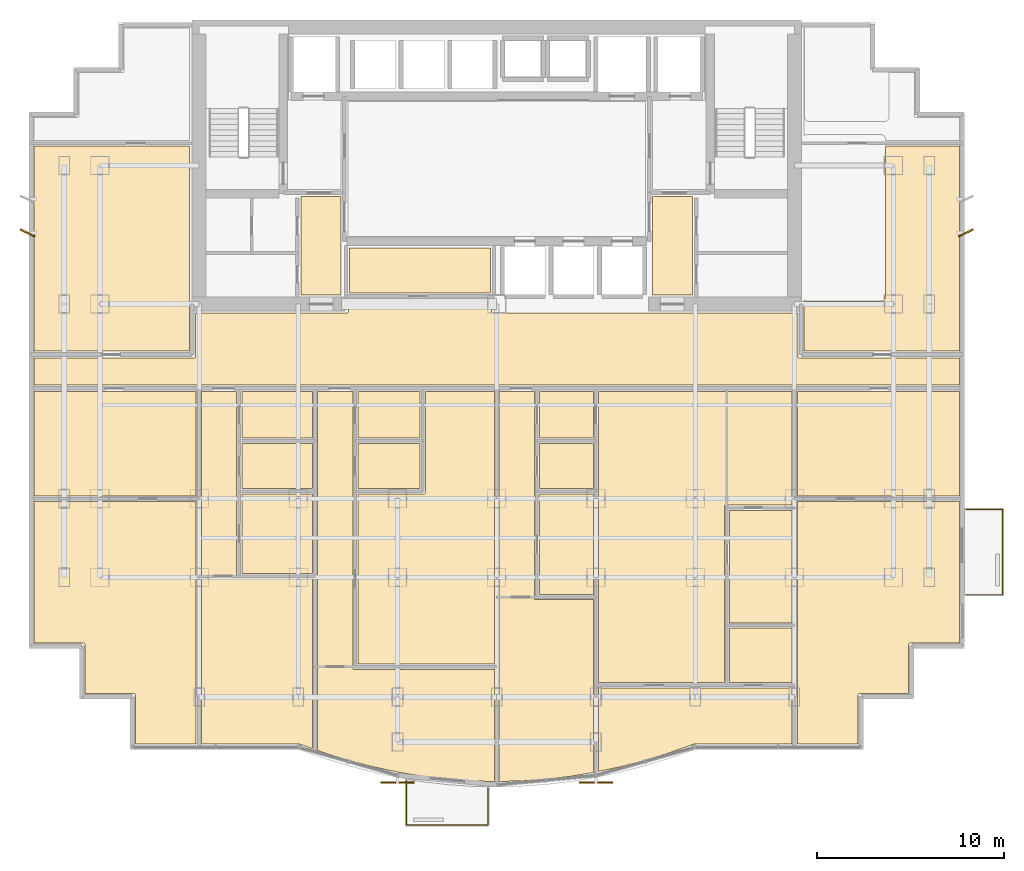
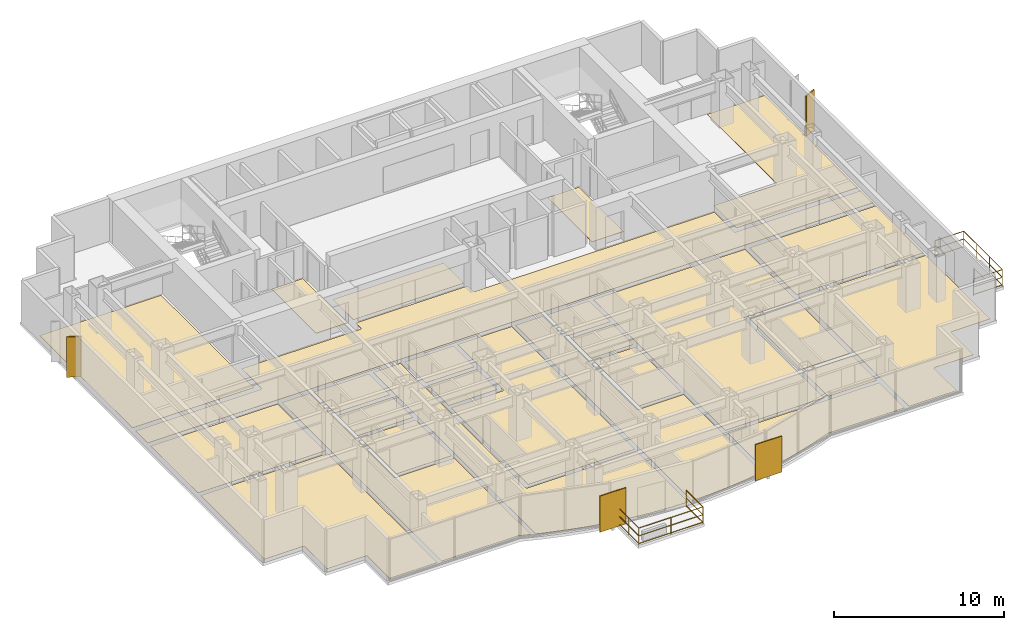
# One storey, part 9 of 10: 26 coverings, 4 shading devices, 2 railings.
"""IFC4 building model written with IfcOpenShell, lengths in metres."""

from ifc_helpers import new_model, si_unit, direction, frame, origin, origin_2d, place, context, subcontext, project, spatial, polyline, rectangle, circle, outline, extrude, source, transform, mapped, material, layer, layer_set, type_object, element, save


model = new_model("IFC4")

# Units and contexts
model_context = context("Model", 3, precision=1e-05, world=origin(), true_north=direction((0.0, 1.0)))
body_context = subcontext(model_context, "Body", "Model", "MODEL_VIEW")
ifc_project = project(units=[si_unit("LENGTHUNIT", "METRE"), si_unit("AREAUNIT", "SQUARE_METRE"), si_unit("VOLUMEUNIT", "CUBIC_METRE"), si_unit("PLANEANGLEUNIT", "RADIAN"), si_unit("MASSUNIT", "GRAM", prefix="KILO")], contexts=[model_context])

# Site, building, storey
site_placement = place(None, origin())
site = spatial("IfcSite", under=ifc_project, at=site_placement, CompositionType="ELEMENT")
building_placement = place(site_placement, origin())
building = spatial("IfcBuilding", under=site, at=building_placement, Name="Qianlan Lanfeng Residences", CompositionType="ELEMENT")
storey_placement = place(building_placement, frame((0.0, 0.0, 91.60009765625)))
storey = spatial("IfcBuildingStorey", under=building, at=storey_placement, Name="L24", CompositionType="ELEMENT", Elevation=91.60009765625)

# Coverings
ifc_material_1 = material(Name="Honed Taitung Granite Stone Flooring", Category="masonry")
ifc_layer_1 = layer(ifc_material_1, 0.030029296875)
ifc_layer_set_1 = layer_set([ifc_layer_1], Name="Honed Taitung Granite Stone Flooring")
covering_type_1 = type_object("IfcCoveringType", Name="FLR-STN-30", PredefinedType="FLOORING", material=ifc_layer_set_1)
covering_1_placement = place(storey_placement, origin())
element("IfcCovering", 1, at=covering_1_placement, inside=storey, type_object=covering_type_1, Name="L24 Residential Corridor Floor Finish", PredefinedType="FLOORING", context=body_context, shape_type="SweptSolid", body=[
    extrude(outline(polyline([(1.7900390625, 20.8798828125), (51.2099609375, 20.8798828125), (51.2099609375, 22.320068359375), (42.6650390625, 22.320068359375), (42.657958984375, 22.320068359375), (42.65087890625, 22.321044921875), (42.64501953125, 22.322998046875), (42.637939453125, 22.324951171875), (42.632080078125, 22.327880859375), (42.6259765625, 22.33203125), (42.62109375, 22.3359375), (42.615966796875, 22.341064453125), (42.611083984375, 22.345947265625), (42.60693359375, 22.35107421875), (42.60302734375, 22.35693359375), (42.60009765625, 22.363037109375), (42.597900390625, 22.3701171875), (42.595947265625, 22.3759765625), (42.594970703125, 22.383056640625), (42.594970703125, 22.389892578125), (42.594970703125, 24.72509765625), (26.300048828125, 24.72509765625), (26.29296875, 24.72509765625), (26.285888671875, 24.72607421875), (26.280029296875, 24.72802734375), (26.27294921875, 24.72998046875), (26.26708984375, 24.73291015625), (26.260986328125, 24.737060546875), (26.256103515625, 24.740966796875), (26.2509765625, 24.74609375), (26.24609375, 24.7509765625), (26.241943359375, 24.756103515625), (26.238037109375, 24.761962890625), (26.235107421875, 24.76806640625), (26.23291015625, 24.77490234375), (26.23095703125, 24.781005859375), (26.22998046875, 24.7880859375), (26.22998046875, 24.794921875), (26.22998046875, 25.429931640625), (18.570068359375, 25.429931640625), (18.570068359375, 24.794921875), (18.570068359375, 24.7880859375), (18.569091796875, 24.781005859375), (18.56689453125, 24.77490234375), (18.56494140625, 24.76806640625), (18.56201171875, 24.761962890625), (18.55810546875, 24.756103515625), (18.553955078125, 24.7509765625), (18.549072265625, 24.74609375), (18.5439453125, 24.740966796875), (18.5390625, 24.737060546875), (18.532958984375, 24.73291015625), (18.527099609375, 24.72998046875), (18.52001953125, 24.72802734375), (18.513916015625, 24.72607421875), (18.507080078125, 24.72509765625), (18.5, 24.72509765625), (10.405029296875, 24.72509765625), (10.405029296875, 22.389892578125), (10.405029296875, 22.383056640625), (10.404052734375, 22.3759765625), (10.402099609375, 22.3701171875), (10.39990234375, 22.363037109375), (10.39697265625, 22.35693359375), (10.39306640625, 22.35107421875), (10.388916015625, 22.345947265625), (10.384033203125, 22.341064453125), (10.37890625, 22.3359375), (10.3740234375, 22.33203125), (10.367919921875, 22.327880859375), (10.362060546875, 22.324951171875), (10.35498046875, 22.322998046875), (10.34912109375, 22.321044921875), (10.342041015625, 22.320068359375), (10.3349609375, 22.320068359375), (1.7900390625, 22.320068359375), (1.7900390625, 20.8798828125)])), origin(), (0.0, 0.0, 1.0), 0.02978515625),
])
covering_2_placement = place(storey_placement, origin())
element("IfcCovering", 2, at=covering_2_placement, inside=storey, type_object=covering_type_1, Name="L24 Lift Lobby Floor Finish", PredefinedType="FLOORING", context=body_context, shape_type="SweptSolid", body=[
    extrude(outline(polyline([(16.030029296875, 25.68505859375), (18.169921875, 25.68505859375), (18.169921875, 30.949951171875), (16.030029296875, 30.949951171875), (16.030029296875, 25.68505859375)])), origin(), (0.0, 0.0, 1.0), 0.02978515625),
])
covering_3_placement = place(storey_placement, origin())
element("IfcCovering", 3, at=covering_3_placement, inside=storey, type_object=covering_type_1, Name="L24 Lift Lobby Floor Finish", PredefinedType="FLOORING", context=body_context, shape_type="SweptSolid", body=[
    extrude(outline(polyline([(34.830078125, 25.68505859375), (36.969970703125, 25.68505859375), (36.969970703125, 30.949951171875), (34.830078125, 30.949951171875), (34.830078125, 25.68505859375)])), origin(), (0.0, 0.0, 1.0), 0.02978515625),
])
ifc_material_2 = material(Name="Slip-Resistant Porcelain Tile Flooring")
ifc_layer_2 = layer(ifc_material_2, 0.02001953125)
ifc_layer_set_2 = layer_set([ifc_layer_2], Name="Slip-Resistant Porcelain Tile Flooring")
covering_type_2 = type_object("IfcCoveringType", Name="FLR-TIL-20", PredefinedType="FLOORING", material=ifc_layer_set_2)
covering_4_placement = place(storey_placement, origin())
element("IfcCovering", 4, at=covering_4_placement, inside=storey, type_object=covering_type_2, Name="L24 Kitchen Floor Finish", PredefinedType="FLOORING", context=body_context, shape_type="SweptSolid", body=[
    extrude(outline(polyline([(12.889892578125, 15.340087890625), (16.659912109375, 15.340087890625), (16.659912109375, 17.760009765625), (12.889892578125, 17.760009765625), (12.889892578125, 15.340087890625)])), origin(), (0.0, 0.0, 1.0), 0.02001953125),
])
covering_5_placement = place(storey_placement, origin())
element("IfcCovering", 5, at=covering_5_placement, inside=storey, type_object=covering_type_2, Name="L24 Bathroom Floor Finish", PredefinedType="FLOORING", context=body_context, shape_type="SweptSolid", body=[
    extrude(outline(polyline([(12.889892578125, 18.0400390625), (16.659912109375, 18.0400390625), (16.659912109375, 20.530029296875), (12.889892578125, 20.530029296875), (12.889892578125, 18.0400390625)])), origin(), (0.0, 0.0, 1.0), 0.02001953125),
])
covering_6_placement = place(storey_placement, origin())
element("IfcCovering", 6, at=covering_6_placement, inside=storey, type_object=covering_type_2, Name="L24 Kitchen Floor Finish", PredefinedType="FLOORING", context=body_context, shape_type="SweptSolid", body=[
    extrude(outline(polyline([(19.090087890625, 15.340087890625), (22.409912109375, 15.340087890625), (22.409912109375, 17.760009765625), (19.090087890625, 17.760009765625), (19.090087890625, 15.340087890625)])), origin(), (0.0, 0.0, 1.0), 0.02001953125),
])
covering_7_placement = place(storey_placement, origin())
element("IfcCovering", 7, at=covering_7_placement, inside=storey, type_object=covering_type_2, Name="L24 Bathroom Floor Finish", PredefinedType="FLOORING", context=body_context, shape_type="SweptSolid", body=[
    extrude(outline(polyline([(19.090087890625, 18.0400390625), (22.409912109375, 18.0400390625), (22.409912109375, 20.530029296875), (19.090087890625, 20.530029296875), (19.090087890625, 18.0400390625)])), origin(), (0.0, 0.0, 1.0), 0.02001953125),
])
covering_8_placement = place(storey_placement, origin())
element("IfcCovering", 8, at=covering_8_placement, inside=storey, type_object=covering_type_2, Name="L24 Kitchen Floor Finish", PredefinedType="FLOORING", context=body_context, shape_type="SweptSolid", body=[
    extrude(outline(polyline([(28.7900390625, 15.340087890625), (31.659912109375, 15.340087890625), (31.659912109375, 17.760009765625), (28.7900390625, 17.760009765625), (28.7900390625, 15.340087890625)])), origin(), (0.0, 0.0, 1.0), 0.02001953125),
])
covering_9_placement = place(storey_placement, origin())
element("IfcCovering", 9, at=covering_9_placement, inside=storey, type_object=covering_type_2, Name="L24 Bathroom Floor Finish", PredefinedType="FLOORING", context=body_context, shape_type="SweptSolid", body=[
    extrude(outline(polyline([(28.7900390625, 18.0400390625), (31.659912109375, 18.0400390625), (31.659912109375, 20.530029296875), (28.7900390625, 20.530029296875), (28.7900390625, 18.0400390625)])), origin(), (0.0, 0.0, 1.0), 0.02001953125),
])
covering_10_placement = place(storey_placement, origin())
element("IfcCovering", 10, at=covering_10_placement, inside=storey, type_object=covering_type_2, Name="L24 En-Suite Bathroom Floor Finish", PredefinedType="FLOORING", context=body_context, shape_type="SweptSolid", body=[
    extrude(outline(polyline([(38.93994140625, 4.968017578125), (42.27001953125, 4.968017578125), (42.27001953125, 7.887939453125), (38.93994140625, 7.887939453125), (38.93994140625, 4.968017578125)])), origin(), (0.0, 0.0, 1.0), 0.02001953125),
])
ifc_material_3 = material(Name="Engineered Smoked Oak Timber Flooring", Category="wood")
ifc_layer_3 = layer(ifc_material_3, 0.02197265625)
ifc_layer_set_3 = layer_set([ifc_layer_3], Name="Engineered Smoked Oak Timber Flooring")
covering_type_3 = type_object("IfcCoveringType", Name="FLR-TIM-22", PredefinedType="FLOORING", material=ifc_layer_set_3)
covering_11_placement = place(storey_placement, origin())
element("IfcCovering", 11, at=covering_11_placement, inside=storey, type_object=covering_type_3, Name="L24 Gallery Salon Floor Finish", PredefinedType="FLOORING", context=body_context, shape_type="SweptSolid", body=[
    extrude(outline(polyline([(18.6298828125, 25.800048828125), (26.169921875, 25.800048828125), (26.169921875, 28.205078125), (18.6298828125, 28.205078125), (18.6298828125, 25.800048828125)])), origin(), (0.0, 0.0, 1.0), 0.02197265625),
])
covering_12_placement = place(storey_placement, origin())
element("IfcCovering", 12, at=covering_12_placement, inside=storey, type_object=covering_type_3, Name="L24 Studio Living Room Floor Finish", PredefinedType="FLOORING", context=body_context, shape_type="SweptSolid", body=[
    extrude(outline(polyline([(16.669921875, 1.44189453125), (16.669921875, 10.511962890625), (12.679931640625, 10.511962890625), (12.673095703125, 10.511962890625), (12.666015625, 10.512939453125), (12.659912109375, 10.514892578125), (12.653076171875, 10.51708984375), (12.64697265625, 10.52001953125), (12.64111328125, 10.52392578125), (12.635986328125, 10.528076171875), (12.631103515625, 10.532958984375), (12.6259765625, 10.5380859375), (12.6220703125, 10.54296875), (12.617919921875, 10.549072265625), (12.614990234375, 10.554931640625), (12.613037109375, 10.56201171875), (12.611083984375, 10.568115234375), (12.610107421875, 10.574951171875), (12.610107421875, 10.58203125), (12.610107421875, 20.530029296875), (10.72998046875, 20.530029296875), (10.72998046875, 1.68994140625), (15.9580078125, 1.68994140625), (15.966064453125, 1.68994140625), (15.97412109375, 1.68798828125), (15.98095703125, 1.68603515625), (16.669921875, 1.44189453125)])), origin(), (0.0, 0.0, 1.0), 0.02197265625),
])
covering_13_placement = place(storey_placement, origin())
element("IfcCovering", 13, at=covering_13_placement, inside=storey, type_object=covering_type_3, Name="L24 Villa Family Sitting Room Floor Finish", PredefinedType="FLOORING", context=body_context, shape_type="SweptSolid", body=[
    extrude(outline(polyline([(12.889892578125, 15.06005859375), (12.889892578125, 10.7919921875), (16.669921875, 10.7919921875), (16.669921875, 15.06005859375), (12.889892578125, 15.06005859375)])), origin(), (0.0, 0.0, 1.0), 0.02197265625),
])
covering_14_placement = place(storey_placement, origin())
element("IfcCovering", 14, at=covering_14_placement, inside=storey, type_object=covering_type_3, Name="L24 Studio Living Room Floor Finish", PredefinedType="FLOORING", context=body_context, shape_type="SweptSolid", body=[
    extrude(outline(polyline([(26.3701171875, -0.306884765625), (26.3701171875, 5.68310546875), (18.8798828125, 5.68310546875), (18.873046875, 5.68310546875), (18.865966796875, 5.68408203125), (18.860107421875, 5.68603515625), (18.85302734375, 5.68798828125), (18.846923828125, 5.69091796875), (18.841064453125, 5.695068359375), (18.8359375, 5.698974609375), (18.8310546875, 5.7041015625), (18.825927734375, 5.708984375), (18.822021484375, 5.714111328125), (18.818115234375, 5.719970703125), (18.81494140625, 5.72607421875), (18.81298828125, 5.73291015625), (18.81103515625, 5.739013671875), (18.81005859375, 5.74609375), (18.81005859375, 5.7529296875), (18.81005859375, 20.530029296875), (16.929931640625, 20.530029296875), (16.929931640625, 1.34912109375), (17.3330078125, 1.2060546875), (18.64404296875, 0.803955078125), (19.9541015625, 0.462890625), (21.263916015625, 0.18505859375), (22.572998046875, -0.031982421875), (23.882080078125, -0.18603515625), (25.19091796875, -0.279052734375), (26.3701171875, -0.306884765625)])), origin(), (0.0, 0.0, 1.0), 0.02197265625),
])
covering_15_placement = place(storey_placement, origin())
element("IfcCovering", 15, at=covering_15_placement, inside=storey, type_object=covering_type_3, Name="L24 Villa Family Sitting Room Floor Finish", PredefinedType="FLOORING", context=body_context, shape_type="SweptSolid", body=[
    extrude(outline(polyline([(19.090087890625, 5.962890625), (26.3701171875, 5.962890625), (26.3701171875, 20.530029296875), (22.68994140625, 20.530029296875), (22.68994140625, 15.1298828125), (22.68994140625, 15.123046875), (22.68896484375, 15.115966796875), (22.68701171875, 15.110107421875), (22.68505859375, 15.10302734375), (22.681884765625, 15.096923828125), (22.677978515625, 15.091064453125), (22.674072265625, 15.0859375), (22.6689453125, 15.0810546875), (22.6640625, 15.075927734375), (22.658935546875, 15.072021484375), (22.653076171875, 15.068115234375), (22.64697265625, 15.06494140625), (22.639892578125, 15.06298828125), (22.634033203125, 15.06103515625), (22.626953125, 15.06005859375), (22.6201171875, 15.06005859375), (19.090087890625, 15.06005859375), (19.090087890625, 5.962890625)])), origin(), (0.0, 0.0, 1.0), 0.02197265625),
])
covering_16_placement = place(storey_placement, origin())
element("IfcCovering", 16, at=covering_16_placement, inside=storey, type_object=covering_type_3, Name="L24 Living and Dining Room Floor Finish", PredefinedType="FLOORING", context=body_context, shape_type="SweptSolid", body=[
    extrude(outline(polyline([(31.669921875, 0.174072265625), (31.669921875, 9.406982421875), (28.580078125, 9.406982421875), (28.572998046875, 9.406982421875), (28.56591796875, 9.407958984375), (28.56005859375, 9.409912109375), (28.552978515625, 9.412109375), (28.547119140625, 9.4150390625), (28.541015625, 9.4189453125), (28.535888671875, 9.423095703125), (28.531005859375, 9.427978515625), (28.52587890625, 9.43310546875), (28.52197265625, 9.43798828125), (28.51806640625, 9.444091796875), (28.514892578125, 9.449951171875), (28.512939453125, 9.45703125), (28.510986328125, 9.462890625), (28.510009765625, 9.469970703125), (28.510009765625, 9.47705078125), (28.510009765625, 20.530029296875), (26.6298828125, 20.530029296875), (26.6298828125, -0.306884765625), (27.80810546875, -0.279052734375), (29.117919921875, -0.18603515625), (30.426025390625, -0.031982421875), (31.669921875, 0.174072265625)])), origin(), (0.0, 0.0, 1.0), 0.02197265625),
])
covering_17_placement = place(storey_placement, origin())
element("IfcCovering", 17, at=covering_17_placement, inside=storey, type_object=covering_type_3, Name="L24 Villa Family Sitting Room Floor Finish", PredefinedType="FLOORING", context=body_context, shape_type="SweptSolid", body=[
    extrude(outline(polyline([(28.7900390625, 15.06005859375), (28.7900390625, 9.68701171875), (31.669921875, 9.68701171875), (31.669921875, 15.06005859375), (28.7900390625, 15.06005859375)])), origin(), (0.0, 0.0, 1.0), 0.02197265625),
])
covering_18_placement = place(storey_placement, origin())
element("IfcCovering", 18, at=covering_18_placement, inside=storey, type_object=covering_type_3, Name="L24 Private Study Floor Finish", PredefinedType="FLOORING", context=body_context, shape_type="SweptSolid", body=[
    extrude(outline(polyline([(38.93994140625, 8.16796875), (42.27001953125, 8.16796875), (42.27001953125, 14.174072265625), (38.93994140625, 14.174072265625), (38.93994140625, 8.16796875)])), origin(), (0.0, 0.0, 1.0), 0.02197265625),
])
covering_19_placement = place(storey_placement, origin())
element("IfcCovering", 19, at=covering_19_placement, inside=storey, type_object=covering_type_3, Name="L24 Villa Family Sitting Room Floor Finish", PredefinedType="FLOORING", context=body_context, shape_type="SweptSolid", body=[
    extrude(outline(polyline([(31.929931640625, 4.968017578125), (38.659912109375, 4.968017578125), (38.659912109375, 14.384033203125), (38.659912109375, 14.39111328125), (38.660888671875, 14.39794921875), (38.6630859375, 14.404052734375), (38.6650390625, 14.410888671875), (38.66796875, 14.4169921875), (38.672119140625, 14.423095703125), (38.676025390625, 14.427978515625), (38.680908203125, 14.43310546875), (38.68603515625, 14.43798828125), (38.69091796875, 14.44189453125), (38.697021484375, 14.446044921875), (38.702880859375, 14.448974609375), (38.7099609375, 14.450927734375), (38.716064453125, 14.452880859375), (38.722900390625, 14.4541015625), (38.72998046875, 14.4541015625), (42.27001953125, 14.4541015625), (42.27001953125, 20.530029296875), (31.929931640625, 20.530029296875), (31.929931640625, 4.968017578125)])), origin(), (0.0, 0.0, 1.0), 0.02197265625),
])
covering_20_placement = place(storey_placement, origin())
element("IfcCovering", 20, at=covering_20_placement, inside=storey, type_object=covering_type_3, Name="L24 Master Bedroom Floor Finish", PredefinedType="FLOORING", context=body_context, shape_type="SweptSolid", body=[
    extrude(outline(polyline([(31.929931640625, 4.68798828125), (31.929931640625, 0.22607421875), (33.044921875, 0.462890625), (34.35595703125, 0.803955078125), (35.6669921875, 1.2060546875), (37.01904296875, 1.68603515625), (37.02587890625, 1.68798828125), (37.033935546875, 1.68994140625), (37.0419921875, 1.68994140625), (42.27001953125, 1.68994140625), (42.27001953125, 4.68798828125), (31.929931640625, 4.68798828125)])), origin(), (0.0, 0.0, 1.0), 0.02197265625),
])
covering_21_placement = place(storey_placement, origin())
element("IfcCovering", 21, at=covering_21_placement, inside=storey, type_object=covering_type_3, Name="L24 Sunroom Floor Finish", PredefinedType="FLOORING", context=body_context, shape_type="SweptSolid", body=[
    extrude(outline(polyline([(10.43994140625, 14.64990234375), (1.7900390625, 14.64990234375), (1.7900390625, 7.090087890625), (4.419921875, 7.090087890625), (4.427001953125, 7.090087890625), (4.43408203125, 7.089111328125), (4.43994140625, 7.0869140625), (4.447021484375, 7.0849609375), (4.452880859375, 7.08203125), (4.458984375, 7.077880859375), (4.464111328125, 7.073974609375), (4.468994140625, 7.069091796875), (4.47412109375, 7.06396484375), (4.47802734375, 7.05908203125), (4.48193359375, 7.052978515625), (4.485107421875, 7.047119140625), (4.487060546875, 7.0400390625), (4.489013671875, 7.033935546875), (4.489990234375, 7.027099609375), (4.489990234375, 7.02001953125), (4.489990234375, 4.389892578125), (7.1201171875, 4.389892578125), (7.126953125, 4.389892578125), (7.134033203125, 4.388916015625), (7.139892578125, 4.386962890625), (7.14697265625, 4.385009765625), (7.153076171875, 4.382080078125), (7.158935546875, 4.3779296875), (7.1640625, 4.3740234375), (7.1689453125, 4.368896484375), (7.174072265625, 4.364013671875), (7.177978515625, 4.35888671875), (7.181884765625, 4.35302734375), (7.18505859375, 4.346923828125), (7.18701171875, 4.340087890625), (7.18896484375, 4.333984375), (7.18994140625, 4.326904296875), (7.18994140625, 4.320068359375), (7.18994140625, 1.68994140625), (10.43994140625, 1.68994140625), (10.43994140625, 14.64990234375)])), origin(), (0.0, 0.0, 1.0), 0.02197265625),
])
covering_22_placement = place(storey_placement, origin())
element("IfcCovering", 22, at=covering_22_placement, inside=storey, type_object=covering_type_3, Name="L24 Family Sitting Room Floor Finish", PredefinedType="FLOORING", context=body_context, shape_type="SweptSolid", body=[
    extrude(outline(polyline([(10.43994140625, 20.530029296875), (1.7900390625, 20.530029296875), (1.7900390625, 14.949951171875), (10.43994140625, 14.949951171875), (10.43994140625, 20.530029296875)])), origin(), (0.0, 0.0, 1.0), 0.02197265625),
])
covering_23_placement = place(storey_placement, origin())
element("IfcCovering", 23, at=covering_23_placement, inside=storey, type_object=covering_type_3, Name="L24 Sunroom Floor Finish", PredefinedType="FLOORING", context=body_context, shape_type="SweptSolid", body=[
    extrude(outline(polyline([(51.2099609375, 14.64990234375), (42.56005859375, 14.64990234375), (42.56005859375, 1.68994140625), (45.81005859375, 1.68994140625), (45.81005859375, 4.320068359375), (45.81005859375, 4.326904296875), (45.81103515625, 4.333984375), (45.81298828125, 4.340087890625), (45.81494140625, 4.346923828125), (45.818115234375, 4.35302734375), (45.822021484375, 4.35888671875), (45.825927734375, 4.364013671875), (45.8310546875, 4.368896484375), (45.8359375, 4.3740234375), (45.841064453125, 4.3779296875), (45.846923828125, 4.382080078125), (45.85302734375, 4.385009765625), (45.860107421875, 4.386962890625), (45.865966796875, 4.388916015625), (45.873046875, 4.389892578125), (45.8798828125, 4.389892578125), (48.510009765625, 4.389892578125), (48.510009765625, 7.02001953125), (48.510009765625, 7.027099609375), (48.510986328125, 7.033935546875), (48.512939453125, 7.0400390625), (48.514892578125, 7.047119140625), (48.51806640625, 7.052978515625), (48.52197265625, 7.05908203125), (48.52587890625, 7.06396484375), (48.531005859375, 7.069091796875), (48.535888671875, 7.073974609375), (48.541015625, 7.077880859375), (48.547119140625, 7.08203125), (48.552978515625, 7.0849609375), (48.56005859375, 7.0869140625), (48.56591796875, 7.089111328125), (48.572998046875, 7.090087890625), (48.580078125, 7.090087890625), (51.2099609375, 7.090087890625), (51.2099609375, 14.64990234375)])), origin(), (0.0, 0.0, 1.0), 0.02197265625),
])
covering_24_placement = place(storey_placement, origin())
element("IfcCovering", 24, at=covering_24_placement, inside=storey, type_object=covering_type_3, Name="L24 Private Study Floor Finish", PredefinedType="FLOORING", context=body_context, shape_type="SweptSolid", body=[
    extrude(outline(polyline([(51.2099609375, 20.530029296875), (42.56005859375, 20.530029296875), (42.56005859375, 14.949951171875), (51.2099609375, 14.949951171875), (51.2099609375, 20.530029296875)])), origin(), (0.0, 0.0, 1.0), 0.02197265625),
])
covering_25_placement = place(storey_placement, origin())
element("IfcCovering", 25, at=covering_25_placement, inside=storey, type_object=covering_type_3, Name="L24 Business Meeting Room Floor Finish", PredefinedType="FLOORING", context=body_context, shape_type="SweptSolid", body=[
    extrude(outline(polyline([(10.074951171875, 33.64990234375), (1.7900390625, 33.64990234375), (1.7900390625, 22.679931640625), (10.074951171875, 22.679931640625), (10.074951171875, 33.64990234375)])), origin(), (0.0, 0.0, 1.0), 0.02197265625),
])
covering_26_placement = place(storey_placement, origin())
element("IfcCovering", 26, at=covering_26_placement, inside=storey, type_object=covering_type_3, Name="L24 Business Meeting Room Floor Finish", PredefinedType="FLOORING", context=body_context, shape_type="SweptSolid", body=[
    extrude(outline(polyline([(51.2099609375, 33.64990234375), (47.27001953125, 33.64990234375), (47.27001953125, 25.60009765625), (47.26904296875, 25.574951171875), (47.264892578125, 25.551025390625), (47.259033203125, 25.527099609375), (47.2509765625, 25.50390625), (47.239990234375, 25.48193359375), (47.22802734375, 25.4609375), (47.212890625, 25.44091796875), (47.197021484375, 25.423095703125), (47.178955078125, 25.406982421875), (47.158935546875, 25.39208984375), (47.137939453125, 25.3798828125), (47.115966796875, 25.368896484375), (47.093017578125, 25.361083984375), (47.069091796875, 25.35498046875), (47.044921875, 25.35107421875), (47.02001953125, 25.35009765625), (43.080078125, 25.35009765625), (43.054931640625, 25.35107421875), (43.031005859375, 25.35498046875), (43.007080078125, 25.361083984375), (42.98388671875, 25.368896484375), (42.9619140625, 25.3798828125), (42.94091796875, 25.39208984375), (42.925048828125, 25.404052734375), (42.925048828125, 22.679931640625), (51.2099609375, 22.679931640625), (51.2099609375, 33.64990234375)])), origin(), (0.0, 0.0, 1.0), 0.02197265625),
])

# Railings
ifc_material_4 = material(Name="Anodised Bronze Aluminium and Laminated Glass Guard Balustrade", Category="aluminium")
railing_type = type_object("IfcRailingType", Name="GR-EXT-1220", PredefinedType="BALUSTRADE", material=ifc_material_4)
railing_1_placement = place(storey_placement, frame((26.030029296875, -0.658935546875, 0.0)))
element("IfcRailing", 27, at=railing_1_placement, inside=storey, type_object=railing_type, Name="L24 Terrace Safety Guard GR-L24-SB-C", PredefinedType="BALUSTRADE", context=body_context, shape_type="SweptSolid", body=[
    extrude(circle(Radius=0.02490234375, at=origin_2d()), frame((0.0, 0.0, 0.0849609375), z_axis=(0.0, -1.0, 0.0), x_axis=(1.0, 0.0, 0.0)), (0.0, 0.0, 1.0), 1.970947265625),
    extrude(circle(Radius=0.02490234375, at=origin_2d()), frame((0.0, 0.0, 0.63427734375), z_axis=(0.0, -1.0, 0.0), x_axis=(1.0, 0.0, 0.0)), (0.0, 0.0, 1.0), 1.970947265625),
    extrude(circle(Radius=0.02490234375, at=origin_2d()), frame((0.0, 0.0, 1.19482421875), z_axis=(0.0, -1.0, 0.0), x_axis=(1.0, 0.0, 0.0)), (0.0, 0.0, 1.0), 1.970947265625),
    extrude(circle(Radius=0.02490234375, at=origin_2d()), frame((0.0, -1.970947265625, 0.0849609375), z_axis=(-1.0, 0.0, 0.0), x_axis=(0.0, -1.0, 0.0)), (0.0, 0.0, 1.0), 4.360107421875),
    extrude(circle(Radius=0.02490234375, at=origin_2d()), frame((0.0, -1.970947265625, 0.63427734375), z_axis=(-1.0, 0.0, 0.0), x_axis=(0.0, -1.0, 0.0)), (0.0, 0.0, 1.0), 4.360107421875),
    extrude(circle(Radius=0.02490234375, at=origin_2d()), frame((0.0, -1.970947265625, 1.19482421875), z_axis=(-1.0, 0.0, 0.0), x_axis=(0.0, -1.0, 0.0)), (0.0, 0.0, 1.0), 4.360107421875),
    extrude(circle(Radius=0.02490234375, at=origin_2d()), frame((-4.360107421875, -1.970947265625, 0.0849609375), z_axis=(0.0, 1.0, 0.0), x_axis=(-1.0, 0.0, 0.0)), (0.0, 0.0, 1.0), 2.3818359375),
    extrude(circle(Radius=0.02490234375, at=origin_2d()), frame((-4.360107421875, -1.970947265625, 0.63427734375), z_axis=(0.0, 1.0, 0.0), x_axis=(-1.0, 0.0, 0.0)), (0.0, 0.0, 1.0), 2.3818359375),
    extrude(circle(Radius=0.02490234375, at=origin_2d()), frame((-4.360107421875, -1.970947265625, 1.19482421875), z_axis=(0.0, 1.0, 0.0), x_axis=(-1.0, 0.0, 0.0)), (0.0, 0.0, 1.0), 2.3818359375),
    extrude(circle(Radius=0.02099609375, at=origin_2d()), origin(), (0.0, 0.0, 1.0), 1.169921875),
    extrude(circle(Radius=0.02099609375, at=origin_2d()), frame((0.0, -1.970947265625, 0.0)), (0.0, 0.0, 1.0), 1.169921875),
    extrude(circle(Radius=0.02099609375, at=origin_2d()), frame((-2.18017578125, -1.970947265625, 0.0)), (0.0, 0.0, 1.0), 1.169921875),
    extrude(circle(Radius=0.02099609375, at=origin_2d()), frame((-4.360107421875, -1.970947265625, 0.0)), (0.0, 0.0, 1.0), 1.169921875),
    extrude(circle(Radius=0.02099609375, at=origin_2d()), frame((-4.360107421875, -0.780029296875, 0.0)), (0.0, 0.0, 1.0), 1.169921875),
    extrude(circle(Radius=0.02099609375, at=origin_2d()), frame((-4.360107421875, 0.410888671875, 0.0)), (0.0, 0.0, 1.0), 1.169921875),
])
railing_2_placement = place(storey_placement, frame((51.570068359375, 14.22998046875, 0.0)))
element("IfcRailing", 28, at=railing_2_placement, inside=storey, type_object=railing_type, Name="L24 Terrace Safety Guard GR-L24-EB-S", PredefinedType="BALUSTRADE", context=body_context, shape_type="SweptSolid", body=[
    extrude(circle(Radius=0.02490234375, at=origin_2d()), frame((0.0, 0.0, 0.0849609375), z_axis=(1.0, 0.0, 0.0), x_axis=(0.0, 1.0, 0.0)), (0.0, 0.0, 1.0), 1.9599609375),
    extrude(circle(Radius=0.02490234375, at=origin_2d()), frame((0.0, 0.0, 0.63427734375), z_axis=(1.0, 0.0, 0.0), x_axis=(0.0, 1.0, 0.0)), (0.0, 0.0, 1.0), 1.9599609375),
    extrude(circle(Radius=0.02490234375, at=origin_2d()), frame((0.0, 0.0, 1.19482421875), z_axis=(1.0, 0.0, 0.0), x_axis=(0.0, 1.0, 0.0)), (0.0, 0.0, 1.0), 1.9599609375),
    extrude(circle(Radius=0.02490234375, at=origin_2d()), frame((1.9599609375, 0.0, 0.0849609375), z_axis=(0.0, -1.0, 0.0), x_axis=(1.0, 0.0, 0.0)), (0.0, 0.0, 1.0), 4.56005859375),
    extrude(circle(Radius=0.02490234375, at=origin_2d()), frame((1.9599609375, 0.0, 0.63427734375), z_axis=(0.0, -1.0, 0.0), x_axis=(1.0, 0.0, 0.0)), (0.0, 0.0, 1.0), 4.56005859375),
    extrude(circle(Radius=0.02490234375, at=origin_2d()), frame((1.9599609375, 0.0, 1.19482421875), z_axis=(0.0, -1.0, 0.0), x_axis=(1.0, 0.0, 0.0)), (0.0, 0.0, 1.0), 4.56005859375),
    extrude(circle(Radius=0.02490234375, at=origin_2d()), frame((1.9599609375, -4.56005859375, 0.0849609375), z_axis=(-1.0, 0.0, 0.0), x_axis=(0.0, -1.0, 0.0)), (0.0, 0.0, 1.0), 1.9599609375),
    extrude(circle(Radius=0.02490234375, at=origin_2d()), frame((1.9599609375, -4.56005859375, 0.63427734375), z_axis=(-1.0, 0.0, 0.0), x_axis=(0.0, -1.0, 0.0)), (0.0, 0.0, 1.0), 1.9599609375),
    extrude(circle(Radius=0.02490234375, at=origin_2d()), frame((1.9599609375, -4.56005859375, 1.19482421875), z_axis=(-1.0, 0.0, 0.0), x_axis=(0.0, -1.0, 0.0)), (0.0, 0.0, 1.0), 1.9599609375),
    extrude(circle(Radius=0.02099609375, at=origin_2d()), origin(), (0.0, 0.0, 1.0), 1.169921875),
    extrude(circle(Radius=0.02099609375, at=origin_2d()), frame((1.9599609375, 0.0, 0.0)), (0.0, 0.0, 1.0), 1.169921875),
    extrude(circle(Radius=0.02099609375, at=origin_2d()), frame((1.9599609375, -1.52001953125, 0.0)), (0.0, 0.0, 1.0), 1.169921875),
    extrude(circle(Radius=0.02099609375, at=origin_2d()), frame((1.9599609375, -3.0400390625, 0.0)), (0.0, 0.0, 1.0), 1.169921875),
    extrude(circle(Radius=0.02099609375, at=origin_2d()), frame((1.9599609375, -4.56005859375, 0.0)), (0.0, 0.0, 1.0), 1.169921875),
    extrude(circle(Radius=0.02099609375, at=origin_2d()), frame((0.0, -4.56005859375, 0.0)), (0.0, 0.0, 1.0), 1.169921875),
])

# Shading devices
ifc_material_5 = material(Name="Perforated Bronze Aluminium Solar Screen", Category="aluminium")
shading_device_type_1 = type_object("IfcShadingDeviceType", Name="SCR-BRZ-1800", PredefinedType="JALOUSIE", material=ifc_material_5)
shared_shape_1 = source(origin(), body_context, "Body", "SweptSolid", [
    extrude(rectangle(XDim=1.800048828125, YDim=0.06005859375, at=origin_2d()), origin(), (0.0, 0.0, 1.0), 2.60009765625),
])
for number, where, z_axis, x_axis, name in (
    (29, (21.199951171875, -0.360107421875, -0.000244140625), (0.0, 0.0, 1.0), (1.0, 0.0, 0.0), "L24 Perforated Bronze Solar Screen 1"),
    (30, (31.800048828125, -0.360107421875, -0.000244140625), (0.0, 0.0, 1.0), (1.0, 0.0, 0.0), "L24 Perforated Bronze Solar Screen 2"),
):
    element("IfcShadingDevice", number, at=place(storey_placement, frame(where, z_axis=z_axis, x_axis=x_axis)), inside=storey, type_object=shading_device_type_1, Name=name, PredefinedType="JALOUSIE", context=body_context, shape_type="MappedRepresentation", body=[
        mapped(shared_shape_1, transform((0.0, 0.0, 0.0), scale=1.0)),
    ])
ifc_material_6 = material(Name="Anodised Bronze Aluminium Solar Fin", Category="aluminium")
shading_device_type_2 = type_object("IfcShadingDeviceType", Name="FIN-BRZ-850", PredefinedType="SHUTTER", material=ifc_material_6)
shared_shape_2 = source(origin(), body_context, "Body", "SweptSolid", [
    extrude(rectangle(XDim=0.85009765625, YDim=0.080078125, at=origin_2d()), origin(), (0.0, 0.0, 1.0), 2.89990234375),
])
for number, where, z_axis, x_axis, name in (
    (31, (1.429931640625, 29.0, 0.0), (0.0, 0.0, 1.0), (0.898794046299, -0.438371146789, 0.0), "L24 Raked Bronze Solar Fin W1"),
    (32, (51.570068359375, 29.0, 0.0), (0.0, 0.0, 1.0), (0.898794046299, 0.438371146789, 0.0), "L24 Raked Bronze Solar Fin E1"),
):
    element("IfcShadingDevice", number, at=place(storey_placement, frame(where, z_axis=z_axis, x_axis=x_axis)), inside=storey, type_object=shading_device_type_2, Name=name, PredefinedType="SHUTTER", context=body_context, shape_type="MappedRepresentation", body=[
        mapped(shared_shape_2, transform((0.0, 0.0, 0.0), scale=1.0)),
    ])

save(model, "model.ifc")
